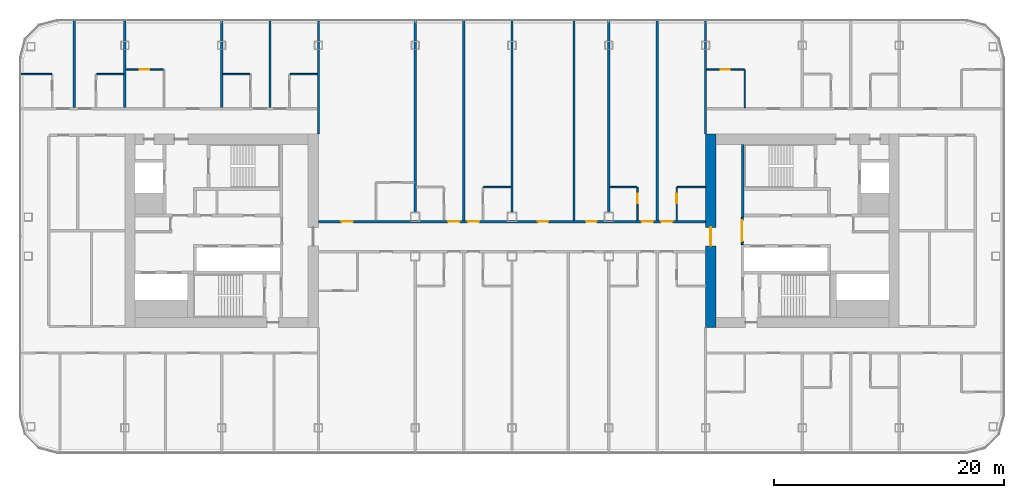
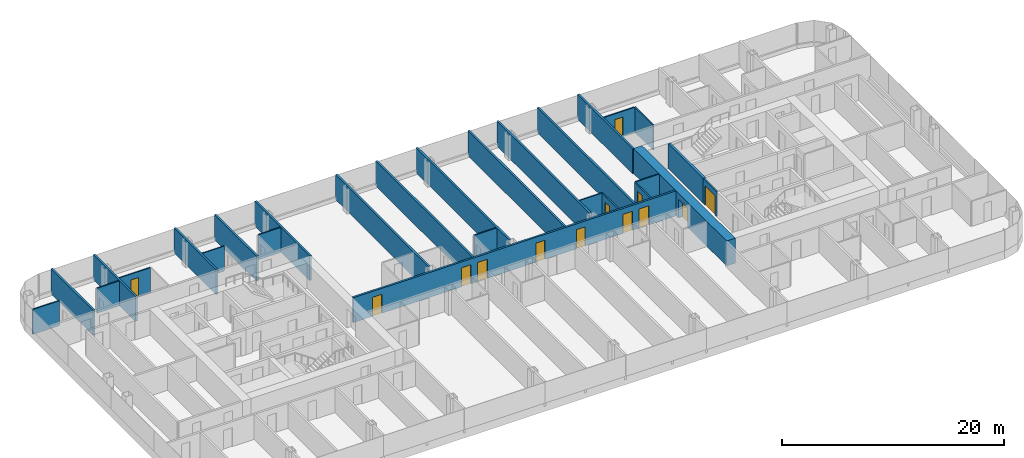
# One storey, part 15 of 26: 28 walls, 13 doors, 13 openings.
"""IFC4 building model written with IfcOpenShell, lengths in metres."""

from ifc_helpers import new_model, si_unit, direction, frame, frame_2d, origin, place, context, subcontext, project, spatial, rectangle, extrude, material, layer, layer_set, type_object, element, fill, save


model = new_model("IFC4")

# Units and contexts
model_context = context("Model", 3, precision=1e-05, world=origin(), true_north=direction((0.0, 1.0)))
body_context = subcontext(model_context, "Body", "Model", "MODEL_VIEW")
ifc_project = project(units=[si_unit("LENGTHUNIT", "METRE"), si_unit("AREAUNIT", "SQUARE_METRE"), si_unit("VOLUMEUNIT", "CUBIC_METRE"), si_unit("PLANEANGLEUNIT", "RADIAN"), si_unit("MASSUNIT", "GRAM", prefix="KILO")], contexts=[model_context])

# Site, building, storey
site_placement = place(None, origin())
site = spatial("IfcSite", under=ifc_project, at=site_placement, CompositionType="ELEMENT")
building_placement = place(site_placement, origin())
building = spatial("IfcBuilding", under=site, at=building_placement, Name="Hakoniwa Tower and Hamabe Station Hall", CompositionType="ELEMENT")
storey_placement = place(building_placement, frame((0.0, 0.0, 169.39990234375)))
storey = spatial("IfcBuildingStorey", under=building, at=storey_placement, Name="L48", CompositionType="ELEMENT", Elevation=169.39990234375)

# Walls
ifc_material_1 = material(Name="Gypsum board partition", Category="gypsum")
ifc_layer_1 = layer(ifc_material_1, 0.125)
ifc_layer_set_1 = layer_set([ifc_layer_1], Name="Bathroom Partition 125")
wall_type_1 = type_object("IfcWallType", Name="Bathroom Partition 125", PredefinedType="PARTITIONING", material=ifc_layer_set_1)
for number, where, z_axis, x_axis, name in (
    (1, (-2.4375, 3.800048828125, 0.0), (0.0, 0.0, 1.0), (1.0, 0.0, 0.0), "GW-L48-019"),
    (2, (8.5, 3.800048828125, 0.0), (0.0, 0.0, 1.0), (1.0, 0.0, 0.0), "GW-L48-020"),
):
    element("IfcWall", number, at=place(storey_placement, frame(where, z_axis=z_axis, x_axis=x_axis)), inside=storey, type_object=wall_type_1, Name=name, PredefinedType="PARTITIONING", context=body_context, shape_type="SweptSolid", body=[
        extrude(rectangle(XDim=2.33740234375, YDim=0.125, at=frame_2d((1.168701171875, 0.0))), origin(), (0.0, 0.0, 1.0), 2.75),
    ])
wall_1_placement = place(storey_placement, frame((14.362548828125, 3.800048828125, 0.0), z_axis=(0.0, 0.0, 1.0), x_axis=(1.0, 0.0, 0.0)))
element("IfcWall", 3, at=wall_1_placement, inside=storey, type_object=wall_type_1, Name="GW-L48-021", PredefinedType="PARTITIONING", context=body_context, shape_type="SweptSolid", body=[
    extrude(rectangle(XDim=2.447509765625, YDim=0.125, at=frame_2d((1.2236328125, 0.0))), origin(), (0.0, 0.0, 1.0), 2.75),
])
wall_2_placement = place(storey_placement, frame((-42.699951171875, 13.60009765625, 0.0), z_axis=(0.0, 0.0, 1.0), x_axis=(1.0, 0.0, 0.0)))
element("IfcWall", 4, at=wall_2_placement, inside=storey, type_object=wall_type_1, Name="GW-L48-027", PredefinedType="PARTITIONING", context=body_context, shape_type="SweptSolid", body=[
    extrude(rectangle(XDim=2.737548828125, YDim=0.125, at=frame_2d((1.36865234375, 0.0))), origin(), (0.0, 0.0, 1.0), 2.75),
])
for number, where, z_axis, x_axis, name in (
    (5, (-36.03759765625, 13.60009765625, 0.0), (0.0, 0.0, 1.0), (1.0, 0.0, 0.0), "GW-L48-028"),
    (6, (-25.10009765625, 13.60009765625, 0.0), (0.0, 0.0, 1.0), (1.0, 0.0, 0.0), "GW-L48-029"),
    (7, (-19.237548828125, 13.60009765625, 0.0), (0.0, 0.0, 1.0), (1.0, 0.0, 0.0), "GW-L48-030"),
):
    element("IfcWall", number, at=place(storey_placement, frame(where, z_axis=z_axis, x_axis=x_axis)), inside=storey, type_object=wall_type_1, Name=name, PredefinedType="PARTITIONING", context=body_context, shape_type="SweptSolid", body=[
        extrude(rectangle(XDim=2.337646484375, YDim=0.125, at=frame_2d((1.1689453125, 0.0))), origin(), (0.0, 0.0, 1.0), 2.75),
    ])

# Wall, opening, door
wall_3_placement = place(storey_placement, frame((-33.5, 14.0, 0.0), z_axis=(0.0, 0.0, 1.0), x_axis=(1.0, 0.0, 0.0)))
wall_3 = element("IfcWall", 8, at=wall_3_placement, inside=storey, type_object=wall_type_1, Name="GW-L48-033", PredefinedType="PARTITIONING", context=body_context, shape_type="SweptSolid", body=[
    extrude(rectangle(XDim=3.237548828125, YDim=0.125, at=frame_2d((1.61865234375, 0.0))), origin(), (0.0, 0.0, 1.0), 2.75),
])
opening_1_placement = place(wall_3_placement, frame((1.199951171875, 0.0, 0.0)))
opening_1 = element("IfcOpeningElement", 9, at=opening_1_placement, cuts=wall_3, Name="Opening GD-G3C2-46", PredefinedType="OPENING", context=body_context, shape_type="SweptSolid", body=[
    extrude(rectangle(XDim=0.800048828125, YDim=2.10009765625, at=frame_2d((0.39990234375, 1.050048828125))), frame((0.0, 0.072509765625, 0.0), z_axis=(0.0, -1.0, 0.0), x_axis=(1.0, 0.0, 0.0)), (0.0, 0.0, 1.0), 0.14501953125),
])
ifc_material_2 = material(Name="Timber door leaf", Category="wood")
door_type_1 = type_object("IfcDoorType", Name="Bathroom Door 800", OperationType="SINGLE_SWING_LEFT", PredefinedType="DOOR", material=ifc_material_2)
door_1_placement = place(opening_1_placement, origin())
door_1 = element("IfcDoor", 10, at=door_1_placement, inside=storey, type_object=door_type_1, Name="Door GD-G3C2-46", OperationType="SINGLE_SWING_LEFT", OverallHeight=2.10009765625, OverallWidth=0.800048828125, PredefinedType="DOOR", context=body_context, shape_type="SweptSolid", body=[
    extrude(rectangle(XDim=0.800048828125, YDim=2.10009765625, at=frame_2d((0.39990234375, 1.050048828125))), frame((0.0, 0.02490234375, 0.0), z_axis=(0.0, -1.0, 0.0), x_axis=(1.0, 0.0, 0.0)), (0.0, 0.0, 1.0), 0.050048828125),
])
fill(opening_1, door_1)

wall_4_placement = place(storey_placement, frame((16.89990234375, 14.0, 0.0), z_axis=(0.0, 0.0, 1.0), x_axis=(1.0, 0.0, 0.0)))
wall_4 = element("IfcWall", 11, at=wall_4_placement, inside=storey, type_object=wall_type_1, Name="GW-L48-034", PredefinedType="PARTITIONING", context=body_context, shape_type="SweptSolid", body=[
    extrude(rectangle(XDim=3.237548828125, YDim=0.125, at=frame_2d((1.61865234375, 0.0))), origin(), (0.0, 0.0, 1.0), 2.75),
])
opening_2_placement = place(wall_4_placement, frame((1.199951171875, 0.0, 0.0)))
opening_2 = element("IfcOpeningElement", 12, at=opening_2_placement, cuts=wall_4, Name="Opening GD-G3C2-47", PredefinedType="OPENING", context=body_context, shape_type="SweptSolid", body=[
    extrude(rectangle(XDim=0.800048828125, YDim=2.10009765625, at=frame_2d((0.39990234375, 1.050048828125))), frame((0.0, 0.072509765625, 0.0), z_axis=(0.0, -1.0, 0.0), x_axis=(1.0, 0.0, 0.0)), (0.0, 0.0, 1.0), 0.14501953125),
])
door_2_placement = place(opening_2_placement, origin())
door_2 = element("IfcDoor", 13, at=door_2_placement, inside=storey, type_object=door_type_1, Name="Door GD-G3C2-47", OperationType="SINGLE_SWING_RIGHT", OverallHeight=2.10009765625, OverallWidth=0.800048828125, PredefinedType="DOOR", context=body_context, shape_type="SweptSolid", body=[
    extrude(rectangle(XDim=0.800048828125, YDim=2.10009765625, at=frame_2d((0.39990234375, 1.050048828125))), frame((0.0, 0.02490234375, 0.0), z_axis=(0.0, -1.0, 0.0), x_axis=(1.0, 0.0, 0.0)), (0.0, 0.0, 1.0), 0.050048828125),
])
fill(opening_2, door_2)

wall_5_placement = place(storey_placement, frame((10.89990234375, 0.89990234375, 0.0), z_axis=(0.0, 0.0, 1.0), x_axis=(0.0, 1.0, 0.0)))
wall_5 = element("IfcWall", 14, at=wall_5_placement, inside=storey, type_object=wall_type_1, Name="GW-L48-072", PredefinedType="PARTITIONING", context=body_context, shape_type="SweptSolid", body=[
    extrude(rectangle(XDim=2.900146484375, YDim=0.125, at=frame_2d((1.4501953125, 0.0))), origin(), (0.0, 0.0, 1.0), 2.75),
])
opening_3_placement = place(wall_5_placement, frame((1.5, 0.0, 0.0)))
opening_3 = element("IfcOpeningElement", 15, at=opening_3_placement, cuts=wall_5, Name="Opening GD-G3C2-58", PredefinedType="OPENING", context=body_context, shape_type="SweptSolid", body=[
    extrude(rectangle(XDim=0.800048828125, YDim=2.10009765625, at=frame_2d((0.39990234375, 1.050048828125))), frame((0.0, 0.072509765625, 0.0), z_axis=(0.0, -1.0, 0.0), x_axis=(1.0, 0.0, 0.0)), (0.0, 0.0, 1.0), 0.14501953125),
])
door_3_placement = place(opening_3_placement, origin())
door_3 = element("IfcDoor", 16, at=door_3_placement, inside=storey, type_object=door_type_1, Name="Door GD-G3C2-58", OperationType="SINGLE_SWING_LEFT", OverallHeight=2.10009765625, OverallWidth=0.800048828125, PredefinedType="DOOR", context=body_context, shape_type="SweptSolid", body=[
    extrude(rectangle(XDim=0.800048828125, YDim=2.10009765625, at=frame_2d((0.39990234375, 1.050048828125))), frame((0.0, 0.02490234375, 0.0), z_axis=(0.0, -1.0, 0.0), x_axis=(1.0, 0.0, 0.0)), (0.0, 0.0, 1.0), 0.050048828125),
])
fill(opening_3, door_3)

wall_6_placement = place(storey_placement, frame((14.300048828125, 0.89990234375, 0.0), z_axis=(0.0, 0.0, 1.0), x_axis=(0.0, 1.0, 0.0)))
wall_6 = element("IfcWall", 17, at=wall_6_placement, inside=storey, type_object=wall_type_1, Name="GW-L48-076", PredefinedType="PARTITIONING", context=body_context, shape_type="SweptSolid", body=[
    extrude(rectangle(XDim=2.900146484375, YDim=0.125, at=frame_2d((1.4501953125, 0.0))), origin(), (0.0, 0.0, 1.0), 2.75),
])
opening_4_placement = place(wall_6_placement, frame((1.5, 0.0, 0.0)))
opening_4 = element("IfcOpeningElement", 18, at=opening_4_placement, cuts=wall_6, Name="Opening GD-G3C2-60", PredefinedType="OPENING", context=body_context, shape_type="SweptSolid", body=[
    extrude(rectangle(XDim=0.800048828125, YDim=2.10009765625, at=frame_2d((0.39990234375, 1.050048828125))), frame((0.0, 0.072509765625, 0.0), z_axis=(0.0, -1.0, 0.0), x_axis=(1.0, 0.0, 0.0)), (0.0, 0.0, 1.0), 0.14501953125),
])
door_4_placement = place(opening_4_placement, origin())
door_4 = element("IfcDoor", 19, at=door_4_placement, inside=storey, type_object=door_type_1, Name="Door GD-G3C2-60", OperationType="SINGLE_SWING_RIGHT", OverallHeight=2.10009765625, OverallWidth=0.800048828125, PredefinedType="DOOR", context=body_context, shape_type="SweptSolid", body=[
    extrude(rectangle(XDim=0.800048828125, YDim=2.10009765625, at=frame_2d((0.39990234375, 1.050048828125))), frame((0.0, 0.02490234375, 0.0), z_axis=(0.0, -1.0, 0.0), x_axis=(1.0, 0.0, 0.0)), (0.0, 0.0, 1.0), 0.050048828125),
])
fill(opening_4, door_4)

# Wall
wall_7_placement = place(storey_placement, frame((20.199951171875, 10.699951171875, 0.0), z_axis=(0.0, 0.0, 1.0), x_axis=(0.0, 1.0, 0.0)))
element("IfcWall", 20, at=wall_7_placement, inside=storey, type_object=wall_type_1, Name="GW-L48-080", PredefinedType="PARTITIONING", context=body_context, shape_type="SweptSolid", body=[
    extrude(rectangle(XDim=3.300048828125, YDim=0.125, at=frame_2d((1.64990234375, 0.0))), origin(), (0.0, 0.0, 1.0), 2.75),
])

# Wall, opening, door
ifc_material_3 = material(Name="Gypsum board partition")
ifc_layer_2 = layer(ifc_material_3, 0.14990234375)
ifc_layer_set_2 = layer_set([ifc_layer_2], Name="CORE PARTITION 150 EI 60")
wall_type_2 = type_object("IfcWallType", Name="CORE PARTITION 150 EI 60", PredefinedType="PARTITIONING", material=ifc_layer_set_2)
wall_8_placement = place(storey_placement, frame((19.97509765625, -1.199951171875, 0.0), z_axis=(0.0, 0.0, 1.0), x_axis=(0.0, 1.0, 0.0)))
wall_8 = element("IfcWall", 21, at=wall_8_placement, inside=storey, type_object=wall_type_2, Name="Core partition PL0 east", PredefinedType="PARTITIONING", context=body_context, shape_type="SweptSolid", body=[
    extrude(rectangle(XDim=2.39990234375, YDim=0.14990234375, at=frame_2d((1.199951171875, 0.0))), origin(), (0.0, 0.0, 1.0), 2.75),
])
opening_5_placement = place(wall_8_placement, frame((0.300048828125, 0.0, 0.0)))
opening_5 = element("IfcOpeningElement", 22, at=opening_5_placement, cuts=wall_8, Name="Opening CD-E-LP0-18", PredefinedType="OPENING", context=body_context, shape_type="SweptSolid", body=[
    extrude(rectangle(XDim=1.800048828125, YDim=2.10009765625, at=frame_2d((0.89990234375, 1.050048828125))), frame((0.0, 0.0849609375, 0.0), z_axis=(0.0, -1.0, 0.0), x_axis=(1.0, 0.0, 0.0)), (0.0, 0.0, 1.0), 0.169921875),
])
ifc_material_4 = material(Name="Steel fire door", Category="steel")
door_type_2 = type_object("IfcDoorType", Name="CORE DOOR 1800 FD60", OperationType="DOUBLE_DOOR_SINGLE_SWING", PredefinedType="DOOR", material=ifc_material_4)
door_5_placement = place(opening_5_placement, origin())
door_5 = element("IfcDoor", 23, at=door_5_placement, inside=storey, type_object=door_type_2, Name="Lift lobby partition door", OperationType="DOUBLE_DOOR_SINGLE_SWING", OverallHeight=2.10009765625, OverallWidth=1.800048828125, PredefinedType="DOOR", context=body_context, shape_type="SweptSolid", body=[
    extrude(rectangle(XDim=1.800048828125, YDim=2.10009765625, at=frame_2d((0.89990234375, 1.050048828125))), frame((0.0, 0.02490234375, 0.0), z_axis=(0.0, -1.0, 0.0), x_axis=(1.0, 0.0, 0.0)), (0.0, 0.0, 1.0), 0.050048828125),
])
fill(opening_5, door_5)

ifc_material_5 = material(Name="Concrete C66", Category="concrete")
ifc_layer_3 = layer(ifc_material_5, 0.89990234375)
ifc_layer_set_3 = layer_set([ifc_layer_3], Name="CORE WALL 900 C66")
wall_type_3 = type_object("IfcWallType", Name="CORE WALL 900 C66", PredefinedType="SHEAR", material=ifc_layer_set_3)
wall_9_placement = place(storey_placement, frame((17.25, -8.39990234375, 0.0), z_axis=(0.0, 0.0, 1.0), x_axis=(0.0, 1.0, 0.0)))
wall_9 = element("IfcWall", 24, at=wall_9_placement, inside=storey, type_object=wall_type_3, Name="Core wall INNER east", PredefinedType="SHEAR", context=body_context, shape_type="SweptSolid", body=[
    extrude(rectangle(XDim=16.7998046875, YDim=0.89990234375, at=frame_2d((8.39990234375, 0.0))), origin(), (0.0, 0.0, 1.0), 2.75),
])
opening_6_placement = place(wall_9_placement, frame((7.10009765625, 0.0, 0.0)))
opening_6 = element("IfcOpeningElement", 25, at=opening_6_placement, cuts=wall_9, Name="Opening CD-E-IN1-16", PredefinedType="OPENING", context=body_context, shape_type="SweptSolid", body=[
    extrude(rectangle(XDim=1.60009765625, YDim=2.10009765625, at=frame_2d((0.800048828125, 1.050048828125))), frame((0.0, 0.4599609375, 0.0), z_axis=(0.0, -1.0, 0.0), x_axis=(1.0, 0.0, 0.0)), (0.0, 0.0, 1.0), 0.919921875),
])
ifc_material_6 = material(Name="Steel fire door", Category="steel")
door_type_3 = type_object("IfcDoorType", Name="CORE DOOR 1600 FD60", OperationType="DOUBLE_DOOR_SINGLE_SWING", PredefinedType="DOOR", material=ifc_material_6)
door_6_placement = place(opening_6_placement, origin())
door_6 = element("IfcDoor", 26, at=door_6_placement, inside=storey, type_object=door_type_3, Name="Lift lobby door", OperationType="DOUBLE_DOOR_SINGLE_SWING", OverallHeight=2.10009765625, OverallWidth=1.60009765625, PredefinedType="DOOR", context=body_context, shape_type="SweptSolid", body=[
    extrude(rectangle(XDim=1.60009765625, YDim=2.10009765625, at=frame_2d((0.800048828125, 1.050048828125))), frame((0.0, 0.02490234375, 0.0), z_axis=(0.0, -1.0, 0.0), x_axis=(1.0, 0.0, 0.0)), (0.0, 0.0, 1.0), 0.050048828125),
])
fill(opening_6, door_6)

# Wall
ifc_material_7 = material(Name="Concrete C66", Category="concrete")
ifc_layer_4 = layer(ifc_material_7, 0.25)
ifc_layer_set_4 = layer_set([ifc_layer_4], Name="CORE WEB WALL 250 C66")
wall_type_4 = type_object("IfcWallType", Name="CORE WEB WALL 250 C66", PredefinedType="SHEAR", material=ifc_layer_set_4)
wall_10_placement = place(storey_placement, frame((20.02490234375, 1.199951171875, 0.0), z_axis=(0.0, 0.0, 1.0), x_axis=(0.0, 1.0, 0.0)))
element("IfcWall", 27, at=wall_10_placement, inside=storey, type_object=wall_type_4, Name="Core wall W1N east", PredefinedType="SHEAR", context=body_context, shape_type="SweptSolid", body=[
    extrude(rectangle(XDim=6.300048828125, YDim=0.25, at=frame_2d((3.14990234375, 0.0))), origin(), (0.0, 0.0, 1.0), 2.75),
])

# Wall, openings, doors
ifc_material_8 = material(Name="Fire-rated gypsum board partition", Category="gypsum")
ifc_layer_5 = layer(ifc_material_8, 0.199951171875)
ifc_layer_set_5 = layer_set([ifc_layer_5], Name="Corridor Wall 200")
wall_type_5 = type_object("IfcWallType", Name="Corridor Wall 200", PredefinedType="PARTITIONING", material=ifc_layer_set_5)
wall_11_placement = place(storey_placement, frame((-16.800048828125, 0.800048828125, 0.0), z_axis=(0.0, 0.0, 1.0), x_axis=(1.0, 0.0, 0.0)))
wall_11 = element("IfcWall", 28, at=wall_11_placement, inside=storey, type_object=wall_type_5, Name="GW-L48-017", PredefinedType="PARTITIONING", context=body_context, shape_type="SweptSolid", body=[
    extrude(rectangle(XDim=33.60009765625, YDim=0.199951171875, at=frame_2d((16.800048828125, 0.0))), origin(), (0.0, 0.0, 1.0), 2.75),
])
opening_7_placement = place(wall_11_placement, frame((2.0, 0.0, 0.0)))
opening_7 = element("IfcOpeningElement", 29, at=opening_7_placement, cuts=wall_11, Name="Opening GD-G3C2-25", PredefinedType="OPENING", context=body_context, shape_type="SweptSolid", body=[
    extrude(rectangle(XDim=1.0, YDim=2.10009765625, at=frame_2d((0.5, 1.050048828125))), frame((0.0, 0.10986328125, 0.0), z_axis=(0.0, -1.0, 0.0), x_axis=(1.0, 0.0, 0.0)), (0.0, 0.0, 1.0), 0.219970703125),
])
opening_8_placement = place(wall_11_placement, frame((11.25, 0.0, 0.0)))
opening_8 = element("IfcOpeningElement", 30, at=opening_8_placement, cuts=wall_11, Name="Opening GD-G3C2-26", PredefinedType="OPENING", context=body_context, shape_type="SweptSolid", body=[
    extrude(rectangle(XDim=1.0, YDim=2.10009765625, at=frame_2d((0.5, 1.050048828125))), frame((0.0, 0.10986328125, 0.0), z_axis=(0.0, -1.0, 0.0), x_axis=(1.0, 0.0, 0.0)), (0.0, 0.0, 1.0), 0.219970703125),
])
opening_9_placement = place(wall_11_placement, frame((12.949951171875, 0.0, 0.0)))
opening_9 = element("IfcOpeningElement", 31, at=opening_9_placement, cuts=wall_11, Name="Opening GD-G3C2-27", PredefinedType="OPENING", context=body_context, shape_type="SweptSolid", body=[
    extrude(rectangle(XDim=1.0, YDim=2.10009765625, at=frame_2d((0.5, 1.050048828125))), frame((0.0, 0.10986328125, 0.0), z_axis=(0.0, -1.0, 0.0), x_axis=(1.0, 0.0, 0.0)), (0.0, 0.0, 1.0), 0.219970703125),
])
opening_10_placement = place(wall_11_placement, frame((19.0400390625, 0.0, 0.0)))
opening_10 = element("IfcOpeningElement", 32, at=opening_10_placement, cuts=wall_11, Name="Opening GD-G3C2-28", PredefinedType="OPENING", context=body_context, shape_type="SweptSolid", body=[
    extrude(rectangle(XDim=0.89990234375, YDim=2.10009765625, at=frame_2d((0.449951171875, 1.050048828125))), frame((0.0, 0.10986328125, 0.0), z_axis=(0.0, -1.0, 0.0), x_axis=(1.0, 0.0, 0.0)), (0.0, 0.0, 1.0), 0.219970703125),
])
opening_11_placement = place(wall_11_placement, frame((23.239990234375, 0.0, 0.0)))
opening_11 = element("IfcOpeningElement", 33, at=opening_11_placement, cuts=wall_11, Name="Opening GD-G3C2-29", PredefinedType="OPENING", context=body_context, shape_type="SweptSolid", body=[
    extrude(rectangle(XDim=0.89990234375, YDim=2.10009765625, at=frame_2d((0.449951171875, 1.050048828125))), frame((0.0, 0.10986328125, 0.0), z_axis=(0.0, -1.0, 0.0), x_axis=(1.0, 0.0, 0.0)), (0.0, 0.0, 1.0), 0.219970703125),
])
opening_12_placement = place(wall_11_placement, frame((28.050048828125, 0.0, 0.0)))
opening_12 = element("IfcOpeningElement", 34, at=opening_12_placement, cuts=wall_11, Name="Opening GD-G3C2-30", PredefinedType="OPENING", context=body_context, shape_type="SweptSolid", body=[
    extrude(rectangle(XDim=1.0, YDim=2.10009765625, at=frame_2d((0.5, 1.050048828125))), frame((0.0, 0.10986328125, 0.0), z_axis=(0.0, -1.0, 0.0), x_axis=(1.0, 0.0, 0.0)), (0.0, 0.0, 1.0), 0.219970703125),
])
opening_13_placement = place(wall_11_placement, frame((29.75, 0.0, 0.0)))
opening_13 = element("IfcOpeningElement", 35, at=opening_13_placement, cuts=wall_11, Name="Opening GD-G3C2-31", PredefinedType="OPENING", context=body_context, shape_type="SweptSolid", body=[
    extrude(rectangle(XDim=1.0, YDim=2.10009765625, at=frame_2d((0.5, 1.050048828125))), frame((0.0, 0.10986328125, 0.0), z_axis=(0.0, -1.0, 0.0), x_axis=(1.0, 0.0, 0.0)), (0.0, 0.0, 1.0), 0.219970703125),
])
ifc_material_9 = material(Name="Timber door leaf", Category="wood")
door_type_4 = type_object("IfcDoorType", Name="Guest Entrance Door 1000", OperationType="SINGLE_SWING_LEFT", PredefinedType="DOOR", material=ifc_material_9)
door_7_placement = place(opening_7_placement, origin())
door_7 = element("IfcDoor", 36, at=door_7_placement, inside=storey, type_object=door_type_4, Name="Door GD-G3C2-25", OperationType="SINGLE_SWING_LEFT", OverallHeight=2.10009765625, OverallWidth=1.0, PredefinedType="DOOR", context=body_context, shape_type="SweptSolid", body=[
    extrude(rectangle(XDim=1.0, YDim=2.10009765625, at=frame_2d((0.5, 1.050048828125))), frame((0.0, 0.02490234375, 0.0), z_axis=(0.0, -1.0, 0.0), x_axis=(1.0, 0.0, 0.0)), (0.0, 0.0, 1.0), 0.050048828125),
])
fill(opening_7, door_7)
door_8_placement = place(opening_8_placement, origin())
door_8 = element("IfcDoor", 37, at=door_8_placement, inside=storey, type_object=door_type_4, Name="Door GD-G3C2-26", OperationType="SINGLE_SWING_RIGHT", OverallHeight=2.10009765625, OverallWidth=1.0, PredefinedType="DOOR", context=body_context, shape_type="SweptSolid", body=[
    extrude(rectangle(XDim=1.0, YDim=2.10009765625, at=frame_2d((0.5, 1.050048828125))), frame((0.0, 0.02490234375, 0.0), z_axis=(0.0, -1.0, 0.0), x_axis=(1.0, 0.0, 0.0)), (0.0, 0.0, 1.0), 0.050048828125),
])
fill(opening_8, door_8)
door_9_placement = place(opening_9_placement, origin())
door_9 = element("IfcDoor", 38, at=door_9_placement, inside=storey, type_object=door_type_4, Name="Door GD-G3C2-27", OperationType="SINGLE_SWING_LEFT", OverallHeight=2.10009765625, OverallWidth=1.0, PredefinedType="DOOR", context=body_context, shape_type="SweptSolid", body=[
    extrude(rectangle(XDim=1.0, YDim=2.10009765625, at=frame_2d((0.5, 1.050048828125))), frame((0.0, 0.02490234375, 0.0), z_axis=(0.0, -1.0, 0.0), x_axis=(1.0, 0.0, 0.0)), (0.0, 0.0, 1.0), 0.050048828125),
])
fill(opening_9, door_9)
door_10_placement = place(opening_12_placement, origin())
door_10 = element("IfcDoor", 39, at=door_10_placement, inside=storey, type_object=door_type_4, Name="Door GD-G3C2-30", OperationType="SINGLE_SWING_LEFT", OverallHeight=2.10009765625, OverallWidth=1.0, PredefinedType="DOOR", context=body_context, shape_type="SweptSolid", body=[
    extrude(rectangle(XDim=1.0, YDim=2.10009765625, at=frame_2d((0.5, 1.050048828125))), frame((0.0, 0.02490234375, 0.0), z_axis=(0.0, -1.0, 0.0), x_axis=(1.0, 0.0, 0.0)), (0.0, 0.0, 1.0), 0.050048828125),
])
fill(opening_12, door_10)
door_11_placement = place(opening_13_placement, origin())
door_11 = element("IfcDoor", 40, at=door_11_placement, inside=storey, type_object=door_type_4, Name="Door GD-G3C2-31", OperationType="SINGLE_SWING_RIGHT", OverallHeight=2.10009765625, OverallWidth=1.0, PredefinedType="DOOR", context=body_context, shape_type="SweptSolid", body=[
    extrude(rectangle(XDim=1.0, YDim=2.10009765625, at=frame_2d((0.5, 1.050048828125))), frame((0.0, 0.02490234375, 0.0), z_axis=(0.0, -1.0, 0.0), x_axis=(1.0, 0.0, 0.0)), (0.0, 0.0, 1.0), 0.050048828125),
])
fill(opening_13, door_11)
ifc_material_10 = material(Name="Timber door leaf", Category="wood")
door_type_5 = type_object("IfcDoorType", Name="Service Door 900", OperationType="SINGLE_SWING_LEFT", PredefinedType="DOOR", material=ifc_material_10)
door_12_placement = place(opening_10_placement, origin())
door_12 = element("IfcDoor", 41, at=door_12_placement, inside=storey, type_object=door_type_5, Name="Door GD-G3C2-28", OperationType="SINGLE_SWING_RIGHT", OverallHeight=2.10009765625, OverallWidth=0.89990234375, PredefinedType="DOOR", context=body_context, shape_type="SweptSolid", body=[
    extrude(rectangle(XDim=0.89990234375, YDim=2.10009765625, at=frame_2d((0.449951171875, 1.050048828125))), frame((0.0, 0.02490234375, 0.0), z_axis=(0.0, -1.0, 0.0), x_axis=(1.0, 0.0, 0.0)), (0.0, 0.0, 1.0), 0.050048828125),
])
fill(opening_10, door_12)
door_13_placement = place(opening_11_placement, origin())
door_13 = element("IfcDoor", 42, at=door_13_placement, inside=storey, type_object=door_type_5, Name="Door GD-G3C2-29", OperationType="SINGLE_SWING_RIGHT", OverallHeight=2.10009765625, OverallWidth=0.89990234375, PredefinedType="DOOR", context=body_context, shape_type="SweptSolid", body=[
    extrude(rectangle(XDim=0.89990234375, YDim=2.10009765625, at=frame_2d((0.449951171875, 1.050048828125))), frame((0.0, 0.02490234375, 0.0), z_axis=(0.0, -1.0, 0.0), x_axis=(1.0, 0.0, 0.0)), (0.0, 0.0, 1.0), 0.050048828125),
])
fill(opening_11, door_13)

# Walls
ifc_material_11 = material(Name="Fire-rated gypsum board partition", Category="gypsum")
ifc_layer_6 = layer(ifc_material_11, 0.199951171875)
ifc_layer_set_6 = layer_set([ifc_layer_6], Name="Party Wall 200")
wall_type_6 = type_object("IfcWallType", Name="Party Wall 200", PredefinedType="PARTITIONING", material=ifc_layer_set_6)
for number, where, z_axis, x_axis, name in (
    (43, (-38.0, 10.699951171875, 0.0), (0.0, 0.0, 1.0), (0.0, 1.0, 0.0), "GW-L48-039"),
    (44, (-33.60009765625, 10.699951171875, 0.0), (0.0, 0.0, 1.0), (0.0, 1.0, 0.0), "GW-L48-044"),
    (45, (-25.199951171875, 10.699951171875, 0.0), (0.0, 0.0, 1.0), (0.0, 1.0, 0.0), "GW-L48-048"),
    (46, (-21.0, 10.699951171875, 0.0), (0.0, 0.0, 1.0), (0.0, 1.0, 0.0), "GW-L48-050"),
):
    element("IfcWall", number, at=place(storey_placement, frame(where, z_axis=z_axis, x_axis=x_axis)), inside=storey, type_object=wall_type_6, Name=name, PredefinedType="PARTITIONING", context=body_context, shape_type="SweptSolid", body=[
        extrude(rectangle(XDim=7.60009765625, YDim=0.199951171875, at=frame_2d((3.800048828125, 0.0))), origin(), (0.0, 0.0, 1.0), 2.75),
    ])
wall_12_placement = place(storey_placement, frame((-16.800048828125, 8.389892578125, 0.0), z_axis=(0.0, 0.0, 1.0), x_axis=(0.0, 1.0, 0.0)))
element("IfcWall", 47, at=wall_12_placement, inside=storey, type_object=wall_type_6, Name="GW-L48-054", PredefinedType="PARTITIONING", context=body_context, shape_type="SweptSolid", body=[
    extrude(rectangle(XDim=9.91015625, YDim=0.199951171875, at=frame_2d((4.955078125, 0.0))), origin(), (0.0, 0.0, 1.0), 2.75),
])
wall_13_placement = place(storey_placement, frame((-8.39990234375, 1.590087890625, 0.0), z_axis=(0.0, 0.0, 1.0), x_axis=(0.0, 1.0, 0.0)))
element("IfcWall", 48, at=wall_13_placement, inside=storey, type_object=wall_type_6, Name="GW-L48-058", PredefinedType="PARTITIONING", context=body_context, shape_type="SweptSolid", body=[
    extrude(rectangle(XDim=16.7099609375, YDim=0.199951171875, at=frame_2d((8.35498046875, 0.0))), origin(), (0.0, 0.0, 1.0), 2.75),
])
wall_14_placement = place(storey_placement, frame((-4.199951171875, 0.89990234375, 0.0), z_axis=(0.0, 0.0, 1.0), x_axis=(0.0, 1.0, 0.0)))
element("IfcWall", 49, at=wall_14_placement, inside=storey, type_object=wall_type_6, Name="GW-L48-062", PredefinedType="PARTITIONING", context=body_context, shape_type="SweptSolid", body=[
    extrude(rectangle(XDim=17.400146484375, YDim=0.199951171875, at=frame_2d((8.7001953125, 0.0))), origin(), (0.0, 0.0, 1.0), 2.75),
])
wall_15_placement = place(storey_placement, frame((0.0, 1.590087890625, 0.0), z_axis=(0.0, 0.0, 1.0), x_axis=(0.0, 1.0, 0.0)))
element("IfcWall", 50, at=wall_15_placement, inside=storey, type_object=wall_type_6, Name="GW-L48-066", PredefinedType="PARTITIONING", context=body_context, shape_type="SweptSolid", body=[
    extrude(rectangle(XDim=16.7099609375, YDim=0.199951171875, at=frame_2d((8.35498046875, 0.0))), origin(), (0.0, 0.0, 1.0), 2.75),
])
wall_16_placement = place(storey_placement, frame((5.3798828125, 0.89990234375, 0.0), z_axis=(0.0, 0.0, 1.0), x_axis=(0.0, 1.0, 0.0)))
element("IfcWall", 51, at=wall_16_placement, inside=storey, type_object=wall_type_6, Name="GW-L48-068", PredefinedType="PARTITIONING", context=body_context, shape_type="SweptSolid", body=[
    extrude(rectangle(XDim=17.400146484375, YDim=0.199951171875, at=frame_2d((8.7001953125, 0.0))), origin(), (0.0, 0.0, 1.0), 2.75),
])
wall_17_placement = place(storey_placement, frame((8.39990234375, 1.590087890625, 0.0), z_axis=(0.0, 0.0, 1.0), x_axis=(0.0, 1.0, 0.0)))
element("IfcWall", 52, at=wall_17_placement, inside=storey, type_object=wall_type_6, Name="GW-L48-070", PredefinedType="PARTITIONING", context=body_context, shape_type="SweptSolid", body=[
    extrude(rectangle(XDim=16.7099609375, YDim=0.199951171875, at=frame_2d((8.35498046875, 0.0))), origin(), (0.0, 0.0, 1.0), 2.75),
])
wall_18_placement = place(storey_placement, frame((12.60009765625, 0.89990234375, 0.0), z_axis=(0.0, 0.0, 1.0), x_axis=(0.0, 1.0, 0.0)))
element("IfcWall", 53, at=wall_18_placement, inside=storey, type_object=wall_type_6, Name="GW-L48-074", PredefinedType="PARTITIONING", context=body_context, shape_type="SweptSolid", body=[
    extrude(rectangle(XDim=17.400146484375, YDim=0.199951171875, at=frame_2d((8.7001953125, 0.0))), origin(), (0.0, 0.0, 1.0), 2.75),
])
wall_19_placement = place(storey_placement, frame((16.800048828125, 8.389892578125, 0.0), z_axis=(0.0, 0.0, 1.0), x_axis=(0.0, 1.0, 0.0)))
element("IfcWall", 54, at=wall_19_placement, inside=storey, type_object=wall_type_6, Name="GW-L48-078", PredefinedType="PARTITIONING", context=body_context, shape_type="SweptSolid", body=[
    extrude(rectangle(XDim=9.91015625, YDim=0.199951171875, at=frame_2d((4.955078125, 0.0))), origin(), (0.0, 0.0, 1.0), 2.75),
])

save(model, "model.ifc")
